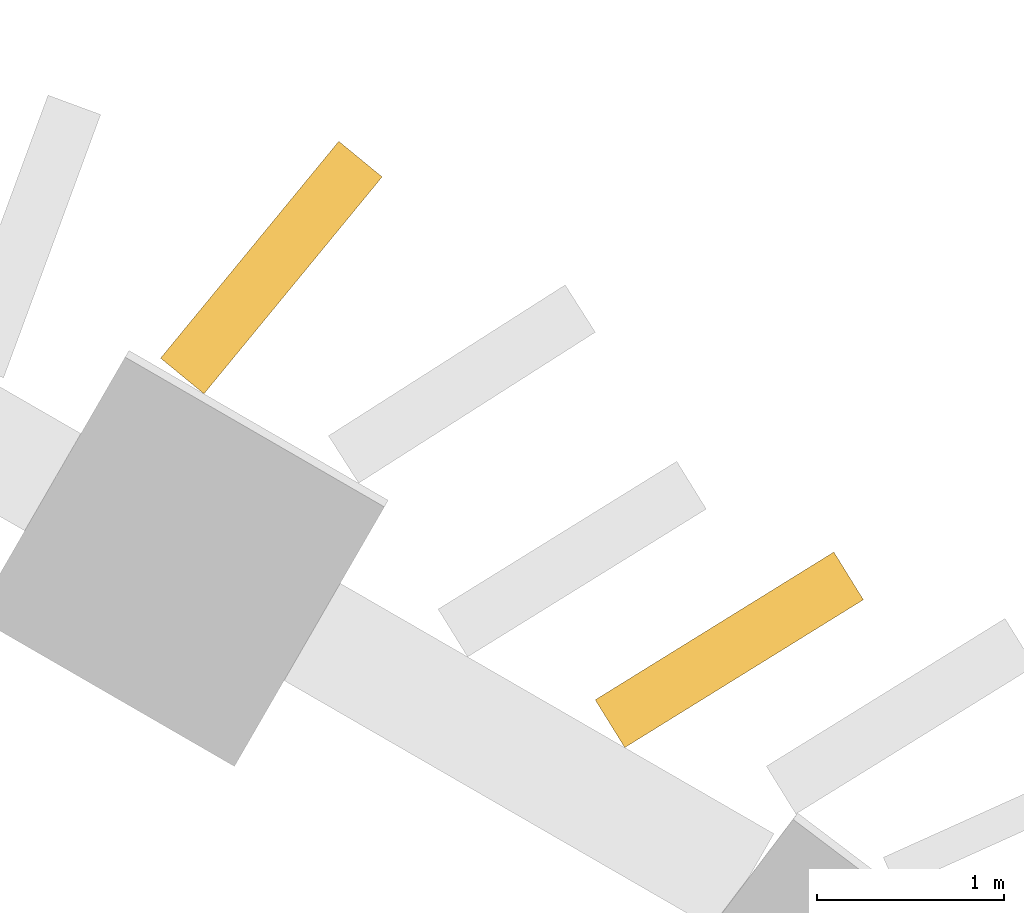
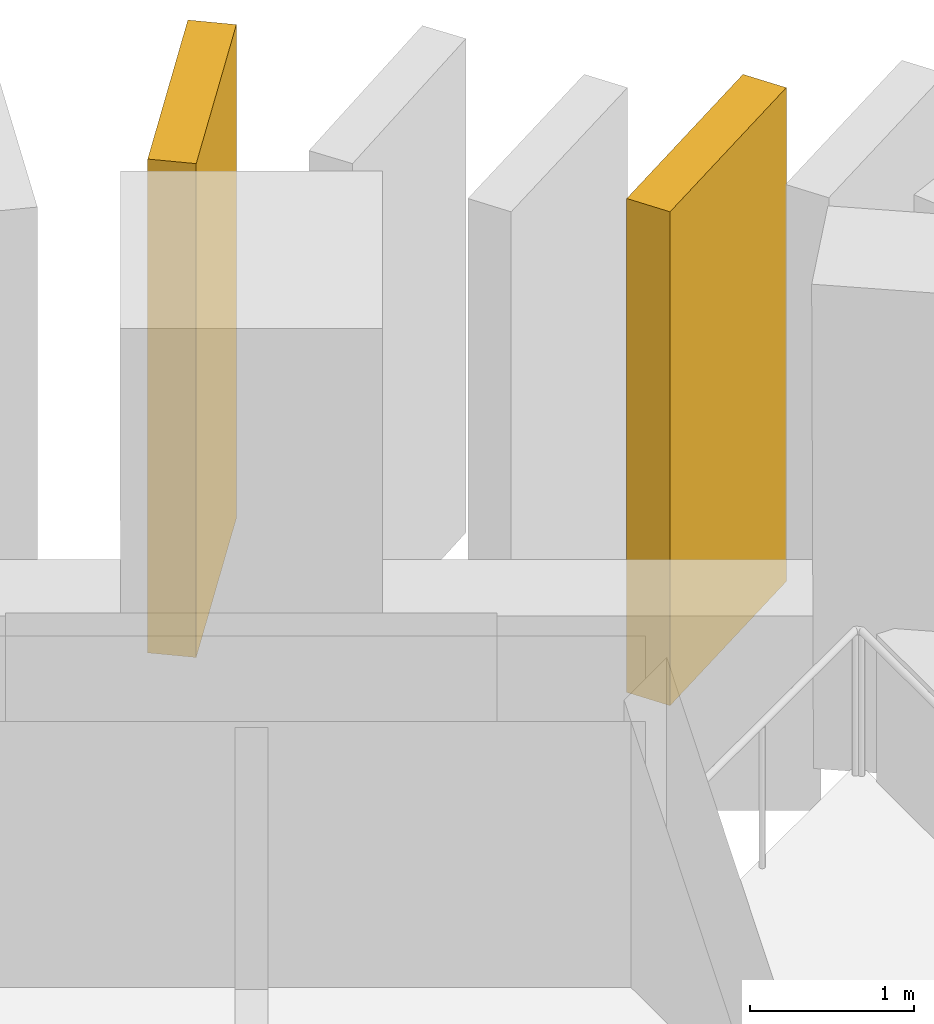
# One storey, part 10 of 10: 2 shading devices.
"""IFC4 building model written with IfcOpenShell, lengths in metres."""

import ifcopenshell
import ifcopenshell.guid

model = None  # the IFC model being written
_history = None  # IfcOwnerHistory: only IFC2X3 demands one
_inside = {}  # id of a spatial element -> (the spatial element, [elements in it])
_under = {}  # id of a project, library or spatial element -> (it, [spatial elements below it])
_declared = {}  # id of a project -> (the project, [libraries it declares])
_typed = {}  # id of a type object -> (the type object, [elements of that type])
_made_of = {}  # id of a material, layer set ... -> (it, [elements and type objects made of it])


def new_model(schema):
    """Start an empty IFC model of exactly this schema.

    Asked for "IFC4X3", IfcOpenShell would pick the latest addendum, in which some entities
    have other attributes; the version numbers below select the first issue.
    IFC2X3 requires an IfcOwnerHistory on every rooted entity: one is made here for all.
    """
    global model, _history
    if schema == "IFC4X3":
        model = ifcopenshell.file(schema_version=(4, 3, 0, 0))
    else:
        model = ifcopenshell.file(schema=schema)
    _inside.clear()
    _under.clear()
    _declared.clear()
    _typed.clear()
    _made_of.clear()
    _history = None
    if model.schema == "IFC2X3":
        org = make("IfcOrganization", Name="unknown")
        user = make(
            "IfcPersonAndOrganization",
            ThePerson=make("IfcPerson", FamilyName="unknown"),
            TheOrganization=org,
        )
        app = make(
            "IfcApplication",
            ApplicationDeveloper=org,
            Version="unknown",
            ApplicationFullName="unknown",
            ApplicationIdentifier="unknown",
        )
        _history = make(
            "IfcOwnerHistory",
            OwningUser=user,
            OwningApplication=app,
            ChangeAction="ADDED",
            CreationDate=0,
        )
    return model


def make(cls, **values):
    """One entity of the class cls with the attributes given. An attribute that is None is left unset."""
    return model.create_entity(
        cls, **{name: value for name, value in values.items() if value is not None}
    )


def rooted(cls, **values):
    """An entity with a GlobalId (a new one), such as an element, a storey or a relation."""
    return make(cls, GlobalId=ifcopenshell.guid.new(), OwnerHistory=_history, **values)


def si_unit(unit_type, name, prefix=None):
    """IfcSIUnit, for example si_unit("LENGTHUNIT", "METRE", prefix="MILLI")."""
    return make("IfcSIUnit", UnitType=unit_type, Prefix=prefix, Name=name)


def assignment(units):
    """IfcUnitAssignment: the units of a project."""
    return None if units is None else make("IfcUnitAssignment", Units=units)


def point(xyz):
    """IfcCartesianPoint."""
    return None if xyz is None else make("IfcCartesianPoint", Coordinates=xyz)


def direction(xyz):
    """IfcDirection."""
    return None if xyz is None else make("IfcDirection", DirectionRatios=xyz)


def frame(location, z_axis=None, x_axis=None):
    """IfcAxis2Placement3D, a coordinate frame: its origin and axes. An axis left out is left unset."""
    return make(
        "IfcAxis2Placement3D",
        Location=point(location),
        Axis=direction(z_axis),
        RefDirection=direction(x_axis),
    )


def frame_2d(location, x_axis=None):
    """IfcAxis2Placement2D, a coordinate frame in the plane: its origin and x axis."""
    return make(
        "IfcAxis2Placement2D", Location=point(location), RefDirection=direction(x_axis)
    )


def origin():
    """The frame at (0, 0, 0) with its axes left unset."""
    return frame((0.0, 0.0, 0.0))


def place(relative_to, where):
    """IfcLocalPlacement: puts the frame where relative to a parent placement (None: the world)."""
    return make(
        "IfcLocalPlacement", PlacementRelTo=relative_to, RelativePlacement=where
    )


def context(
    kind, dimensions, precision=None, world=None, true_north=None, identifier=None
):
    """IfcGeometricRepresentationContext, for example the 3D "Model" context."""
    return make(
        "IfcGeometricRepresentationContext",
        ContextIdentifier=identifier,
        ContextType=kind,
        CoordinateSpaceDimension=dimensions,
        Precision=precision,
        WorldCoordinateSystem=world,
        TrueNorth=true_north,
    )


def subcontext(parent, identifier, kind, view, scale=None):
    """IfcGeometricRepresentationSubContext, for example "Body" below "Model"."""
    return make(
        "IfcGeometricRepresentationSubContext",
        ContextIdentifier=identifier,
        ContextType=kind,
        ParentContext=parent,
        TargetScale=scale,
        TargetView=view,
    )


def project(units=None, contexts=None):
    """IfcProject with its units and contexts."""
    return rooted(
        "IfcProject",
        Name="project",
        RepresentationContexts=contexts,
        UnitsInContext=assignment(units),
    )


def spatial(cls, under=None, at=None, **own):
    """A site, building, storey or space (cls), placed at a placement, below another one or the project."""
    s = rooted(cls, ObjectPlacement=at, **own)
    if under is not None:
        _under.setdefault(under.id(), (under, []))[1].append(s)
    return s


def profile(cls, at=None, kind="AREA", **sizes):
    """A parametric profile (cls). Its sizes go by their IFC names, for example OverallWidth=200.0."""
    return make(cls, ProfileType=kind, Position=at, **sizes)


def rectangle(**sizes):
    """IfcRectangleProfileDef."""
    return profile("IfcRectangleProfileDef", **sizes)


def extrude(swept, where, along, depth):
    """IfcExtrudedAreaSolid: the profile swept, set in the frame where, extruded along a direction by depth."""
    return make(
        "IfcExtrudedAreaSolid",
        SweptArea=swept,
        Position=where,
        ExtrudedDirection=direction(along),
        Depth=depth,
    )


def shape(context_of_items, identifier, shape_type, items):
    """IfcShapeRepresentation: the items that make up one representation, for example the "Body"."""
    return make(
        "IfcShapeRepresentation",
        ContextOfItems=context_of_items,
        RepresentationIdentifier=identifier,
        RepresentationType=shape_type,
        Items=items,
    )


def material(Name=None, Category=None):
    """IfcMaterial."""
    return make("IfcMaterial", Name=Name, Category=Category)


def layer(
    of_material, thickness, ventilated=None, Name=None, Category=None, Priority=None
):
    """IfcMaterialLayer: one layer of a wall or slab, of a material (None: an air gap)."""
    return make(
        "IfcMaterialLayer",
        Material=of_material,
        LayerThickness=thickness,
        IsVentilated=ventilated,
        Name=Name,
        Category=Category,
        Priority=Priority,
    )


def layer_set(layers, Name=None):
    """IfcMaterialLayerSet."""
    return make("IfcMaterialLayerSet", MaterialLayers=layers, LayerSetName=Name)


def made_of(thing, what):
    """Note that an element or type object is made of a material, layer set ...; save() writes the relation."""
    if what is not None:
        _made_of.setdefault(what.id(), (what, []))[1].append(thing)
    return thing


def type_object(cls, material=None, **own):
    """A type object (cls), such as IfcWallType, which elements share."""
    return made_of(rooted(cls, **own), material)


def element(
    cls,
    number,
    at=None,
    inside=None,
    cuts=None,
    type_object=None,
    material=None,
    context=None,
    identifier="Body",
    shape_type=None,
    held_by="IfcProductDefinitionShape",
    body=None,
    shapes=None,
    **own,
):
    """One element of the class cls, such as IfcWall. Its Tag is "e" and its number.

    at: its placement. inside: the storey or other place that contains it. cuts: it is an
    opening in that element (IfcRelVoidsElement). A single representation is given by context,
    identifier, shape_type and body (its items); several are given by shapes. held_by: the class
    of the entity that holds the representations. save() writes the other relations.
    """
    e = rooted(cls, Tag="e%d" % number, ObjectPlacement=at, **own)
    if body is not None:
        shapes = [shape(context, identifier, shape_type, body)]
    if shapes is not None:
        e.Representation = make(held_by, Representations=shapes)
    if inside is not None:
        _inside.setdefault(inside.id(), (inside, []))[1].append(e)
    if cuts is not None:
        rooted(
            "IfcRelVoidsElement", RelatingBuildingElement=cuts, RelatedOpeningElement=e
        )
    if type_object is not None:
        _typed.setdefault(type_object.id(), (type_object, []))[1].append(e)
    return made_of(e, material)


def aggregate(whole, parts):
    """IfcRelAggregates: a whole, such as a stair, and the parts it consists of."""
    return rooted("IfcRelAggregates", RelatingObject=whole, RelatedObjects=parts)


def save(model, path):
    """Write the relations noted so far, then the file.

    IfcRelAggregates (storeys below a building ...), IfcRelContainedInSpatialStructure (elements
    in a storey), IfcRelDefinesByType, IfcRelAssociatesMaterial and IfcRelDeclares: one each for
    every whole, place, type object, material and project.
    """
    for whole, parts in _under.values():
        aggregate(whole, parts)
    for where, things in _inside.values():
        rooted(
            "IfcRelContainedInSpatialStructure",
            RelatedElements=things,
            RelatingStructure=where,
        )
    for kind, things in _typed.values():
        rooted("IfcRelDefinesByType", RelatedObjects=things, RelatingType=kind)
    for what, things in _made_of.values():
        rooted("IfcRelAssociatesMaterial", RelatedObjects=things, RelatingMaterial=what)
    for by, libraries in _declared.values():
        rooted("IfcRelDeclares", RelatingContext=by, RelatedDefinitions=libraries)
    model.write(path)


model = new_model("IFC4")

# Units and contexts
model_context = context("Model", 3, precision=1e-05, world=origin(), true_north=direction((0.0, 1.0)))
body_context = subcontext(model_context, "Body", "Model", "MODEL_VIEW")
ifc_project = project(units=[si_unit("LENGTHUNIT", "METRE"), si_unit("AREAUNIT", "SQUARE_METRE"), si_unit("VOLUMEUNIT", "CUBIC_METRE"), si_unit("PLANEANGLEUNIT", "RADIAN"), si_unit("MASSUNIT", "GRAM", prefix="KILO")], contexts=[model_context])

# Site, building, storey
site_placement = place(None, origin())
site = spatial("IfcSite", under=ifc_project, at=site_placement, CompositionType="ELEMENT")
building_placement = place(site_placement, origin())
building = spatial("IfcBuilding", under=site, at=building_placement, Name="Jabali Bay Hotel Tower and Convention Centre", CompositionType="ELEMENT")
storey_placement = place(building_placement, frame((0.0, 0.0, 284.89990234375)))
storey = spatial("IfcBuildingStorey", under=building, at=storey_placement, Name="L70", CompositionType="ELEMENT", Elevation=284.89990234375)

# Shading devices
ifc_material = material(Name="Precast concrete C60", Category="concrete")
ifc_layer = layer(ifc_material, 0.300048828125)
ifc_layer_set = layer_set([ifc_layer], Name="Precast concrete C60")
shading_device_type = type_object("IfcShadingDeviceType", Name="Precast fin 3680 x 1500", PredefinedType="USERDEFINED", material=ifc_layer_set)
for number, where, z_axis, x_axis, name in (
    (1, (92.823486328125, 106.024169921875, 0.010009765625), (0.0, 0.0, 1.0), (0.850140244576, 0.526556326097, 0.0), "Fin L70 023"),
    (2, (90.5380859375, 107.882080078125, 0.010009765625), (0.0, 0.0, 1.0), (0.634805372277, 0.772672077487, 0.0), "Fin L70 026"),
):
    element("IfcShadingDevice", number, at=place(storey_placement, frame(where, z_axis=z_axis, x_axis=x_axis)), inside=storey, type_object=shading_device_type, Name=name, ObjectType="FIN", PredefinedType="USERDEFINED", context=body_context, shape_type="SweptSolid", body=[
        extrude(rectangle(XDim=1.5, YDim=0.300048828125, at=frame_2d((0.75, 0.0))), origin(), (0.0, 0.0, 1.0), 3.68017578125),
    ])

save(model, "model.ifc")
